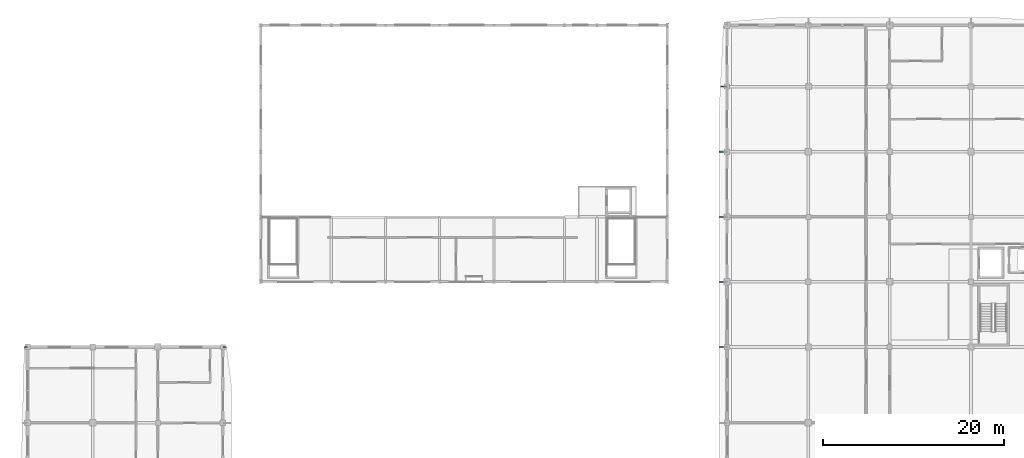
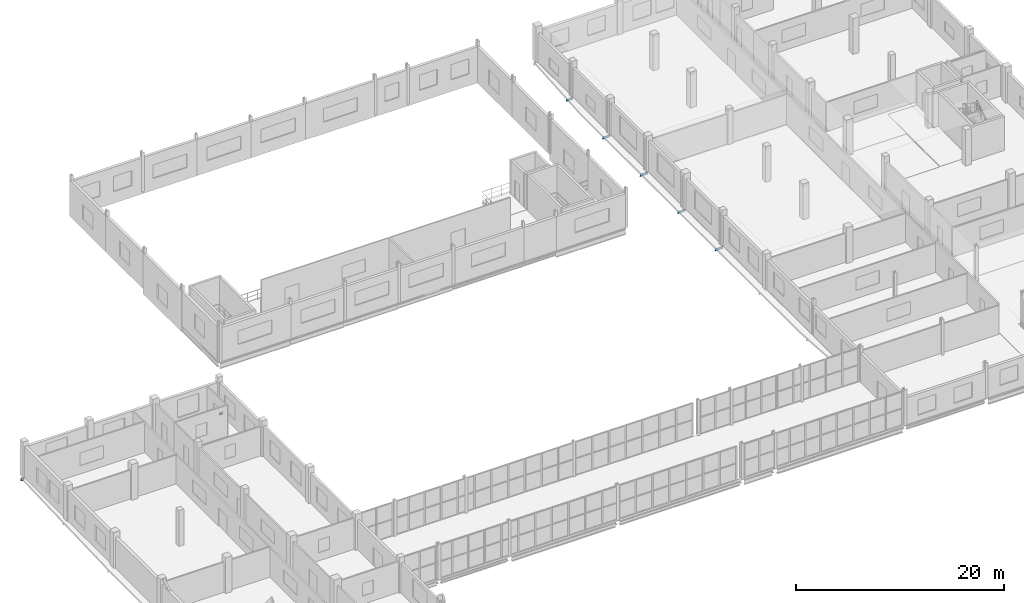
# One storey, part 77 of 121: 7 beams.
"""IFC4 building model written with IfcOpenShell, lengths in metres."""

from ifc_helpers import new_model, si_unit, direction, frame, origin, origin_2d, place, context, subcontext, project, spatial, i_section, extrude, material, material_profile, profile_set, type_object, element, save


model = new_model("IFC4")

# Units and contexts
model_context = context("Model", 3, precision=1e-05, world=origin(), true_north=direction((0.0, 1.0)))
body_context = subcontext(model_context, "Body", "Model", "MODEL_VIEW")
ifc_project = project(units=[si_unit("LENGTHUNIT", "METRE"), si_unit("AREAUNIT", "SQUARE_METRE"), si_unit("VOLUMEUNIT", "CUBIC_METRE"), si_unit("PLANEANGLEUNIT", "RADIAN"), si_unit("MASSUNIT", "GRAM", prefix="KILO")], contexts=[model_context])

# Site, building, storey
site_placement = place(None, origin())
site = spatial("IfcSite", under=ifc_project, at=site_placement, CompositionType="ELEMENT")
building_placement = place(site_placement, origin())
building = spatial("IfcBuilding", under=site, at=building_placement, Name="Vinh Khe Railworks Police Headquarters", CompositionType="ELEMENT")
storey_placement = place(building_placement, frame((0.0, 0.0, 4.800048828125)))
storey = spatial("IfcBuildingStorey", under=building, at=storey_placement, Name="L01", CompositionType="ELEMENT", Elevation=4.800048828125)

# Beams
ifc_material = material(Name="Steel S355JR", Category="steel")
ifc_material_profile = material_profile(ifc_material, i_section(OverallWidth=0.1201171875, OverallDepth=0.239990234375, WebThickness=0.006103515625, FlangeThickness=0.009765625, FilletRadius=0.014892578125, at=origin_2d()), Name="IPE 240")
ifc_profile_set = profile_set([ifc_material_profile], Name="Steel S355JR")
beam_type = type_object("IfcBeamType", Name="Monsoon Hood Outrigger IPE 240", PredefinedType="BEAM", material=ifc_profile_set)
beam_1_placement = place(storey_placement, frame((0.21142578125, 130.800048828125, -0.360107421875), z_axis=(1.0, 0.0, 0.0), x_axis=(0.0, 1.0, 0.0)))
element("IfcBeam", 1, at=beam_1_placement, inside=storey, type_object=beam_type, Name="Monsoon Sun-Hood Outrigger L01-012", PredefinedType="BEAM", context=body_context, shape_type="SweptSolid", body=[
    extrude(i_section(OverallWidth=0.1201171875, OverallDepth=0.239990234375, WebThickness=0.006103515625, FlangeThickness=0.009765625, FilletRadius=0.014892578125, at=origin_2d()), origin(), (0.0, 0.0, 1.0), 0.388671875),
])
beam_2_placement = place(storey_placement, frame((22.199951171875, 130.800048828125, -0.360107421875), z_axis=(1.0, 0.0, 0.0), x_axis=(0.0, 1.0, 0.0)))
element("IfcBeam", 2, at=beam_2_placement, inside=storey, type_object=beam_type, Name="Monsoon Sun-Hood Outrigger L01-020", PredefinedType="BEAM", context=body_context, shape_type="SweptSolid", body=[
    extrude(i_section(OverallWidth=0.1201171875, OverallDepth=0.239990234375, WebThickness=0.006103515625, FlangeThickness=0.009765625, FilletRadius=0.014892578125, at=origin_2d()), origin(), (0.0, 0.0, 1.0), 0.423583984375),
])
for number, where, z_axis, x_axis, name in (
    (3, (77.10009765625, 130.800048828125, -0.360107421875), (1.0, 0.0, 0.0), (0.0, 1.0, 0.0), "Monsoon Sun-Hood Outrigger L01-148"),
    (4, (77.10009765625, 138.0, -0.360107421875), (1.0, 0.0, 0.0), (0.0, 1.0, 0.0), "Monsoon Sun-Hood Outrigger L01-149"),
    (5, (77.10009765625, 145.199951171875, -0.360107421875), (1.0, 0.0, 0.0), (0.0, 1.0, 0.0), "Monsoon Sun-Hood Outrigger L01-150"),
    (6, (77.10009765625, 152.39990234375, -0.360107421875), (1.0, 0.0, 0.0), (0.0, 1.0, 0.0), "Monsoon Sun-Hood Outrigger L01-151"),
):
    element("IfcBeam", number, at=place(storey_placement, frame(where, z_axis=z_axis, x_axis=x_axis)), inside=storey, type_object=beam_type, Name=name, PredefinedType="BEAM", context=body_context, shape_type="SweptSolid", body=[
        extrude(i_section(OverallWidth=0.1201171875, OverallDepth=0.239990234375, WebThickness=0.006103515625, FlangeThickness=0.009765625, FilletRadius=0.014892578125, at=origin_2d()), origin(), (0.0, 0.0, 1.0), 0.89990234375),
    ])
beam_3_placement = place(storey_placement, frame((77.252197265625, 159.60009765625, -0.360107421875), z_axis=(1.0, 0.0, 0.0), x_axis=(0.0, 1.0, 0.0)))
element("IfcBeam", 7, at=beam_3_placement, inside=storey, type_object=beam_type, Name="Monsoon Sun-Hood Outrigger L01-152", PredefinedType="BEAM", context=body_context, shape_type="SweptSolid", body=[
    extrude(i_section(OverallWidth=0.1201171875, OverallDepth=0.239990234375, WebThickness=0.006103515625, FlangeThickness=0.009765625, FilletRadius=0.014892578125, at=origin_2d()), origin(), (0.0, 0.0, 1.0), 0.747802734375),
])

save(model, "model.ifc")
